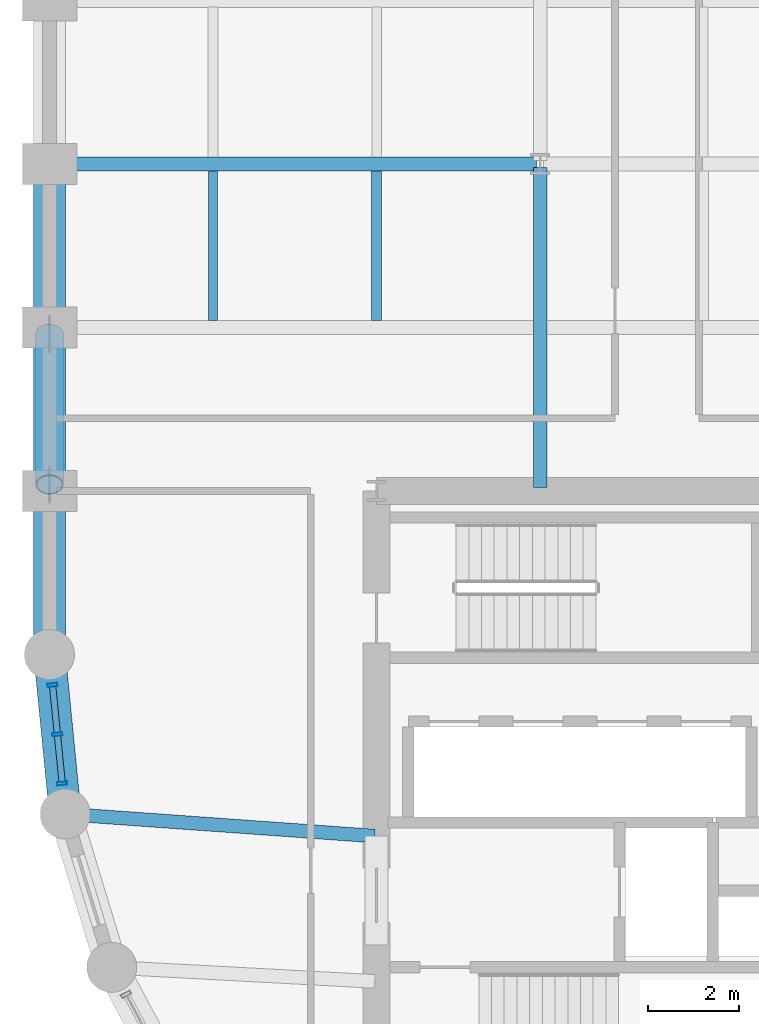
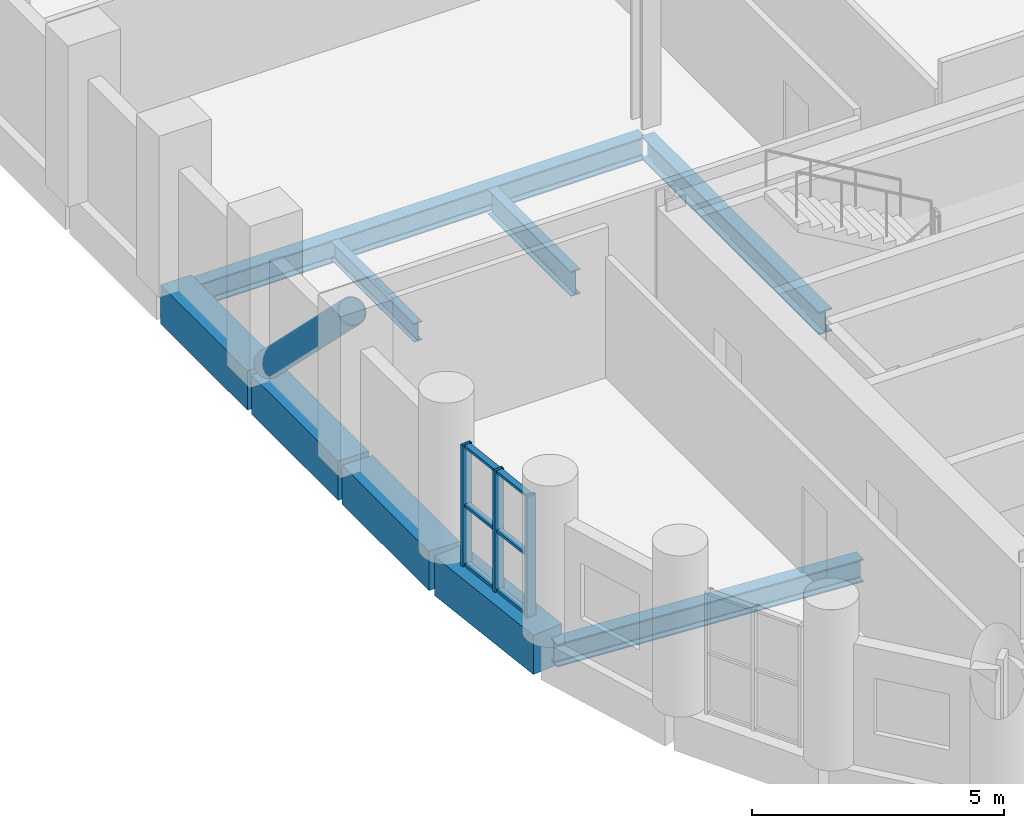
# One storey, part 4 of 12: 10 members, 9 beams, 1 element without a shape of its own.
"""IFC4 building model written with IfcOpenShell, lengths in metres."""

from ifc_helpers import new_model, si_unit, direction, frame, origin, origin_2d, place, context, subcontext, project, spatial, rectangle, hollow_rectangle, hollow_circle, i_section, extrude, material, layer, layer_set, material_profile, profile_set, type_object, element, aggregate, save


model = new_model("IFC4")

# Units and contexts
model_context = context("Model", 3, precision=1e-05, world=origin(), true_north=direction((0.0, 1.0)))
body_context = subcontext(model_context, "Body", "Model", "MODEL_VIEW")
ifc_project = project(units=[si_unit("LENGTHUNIT", "METRE"), si_unit("AREAUNIT", "SQUARE_METRE"), si_unit("VOLUMEUNIT", "CUBIC_METRE"), si_unit("PLANEANGLEUNIT", "RADIAN"), si_unit("MASSUNIT", "GRAM", prefix="KILO")], contexts=[model_context])

# Site, building, storey
site_placement = place(None, origin())
site = spatial("IfcSite", under=ifc_project, at=site_placement, CompositionType="ELEMENT")
building_placement = place(site_placement, origin())
building = spatial("IfcBuilding", under=site, at=building_placement, Name="Solnavia Interchange Tower", CompositionType="ELEMENT")
storey_placement = place(building_placement, frame((0.0, 0.0, 27.89990234375)))
storey = spatial("IfcBuildingStorey", under=building, at=storey_placement, Name="L06", CompositionType="ELEMENT", Elevation=27.89990234375)

# Beams
ifc_material_1 = material(Name="Steel S460", Category="steel")
ifc_material_profile_1 = material_profile(ifc_material_1, i_section(OverallWidth=0.300048828125, OverallDepth=0.550048828125, WebThickness=0.014892578125, FlangeThickness=0.029052734375, FilletRadius=0.027099609375, at=origin_2d()), Name="HEB 550")
ifc_profile_set_1 = profile_set([ifc_material_profile_1], Name="Steel S460")
beam_type_1 = type_object("IfcBeamType", Name="Beam-Girder-HEB550", PredefinedType="BEAM", material=ifc_profile_set_1)
beam_1_placement = place(storey_placement, frame((18.0, 25.280029296875, -0.52490234375), z_axis=(0.0, 1.0, 0.0), x_axis=(-1.0, 0.0, 0.0)))
element("IfcBeam", 1, at=beam_1_placement, inside=storey, type_object=beam_type_1, Name="GRD-L06-NS12 North wing spine girder", PredefinedType="BEAM", context=body_context, shape_type="SweptSolid", body=[
    extrude(i_section(OverallWidth=0.300048828125, OverallDepth=0.550048828125, WebThickness=0.014892578125, FlangeThickness=0.029052734375, FilletRadius=0.027099609375, at=origin_2d()), origin(), (0.0, 0.0, 1.0), 7.0400390625),
])
beam_2_placement = place(storey_placement, frame((7.280029296875, 32.39990234375, -0.52490234375), z_axis=(1.0, 0.0, 0.0), x_axis=(0.0, 1.0, 0.0)))
element("IfcBeam", 2, at=beam_2_placement, inside=storey, type_object=beam_type_1, Name="GRD-L06-NW16 North wing primary floor girder", PredefinedType="BEAM", context=body_context, shape_type="SweptSolid", body=[
    extrude(i_section(OverallWidth=0.300048828125, OverallDepth=0.550048828125, WebThickness=0.014892578125, FlangeThickness=0.029052734375, FilletRadius=0.027099609375, at=origin_2d()), origin(), (0.0, 0.0, 1.0), 10.639892578125),
])
beam_3_placement = place(storey_placement, frame((7.625732421875, 18.082275390625, -0.52490234375), z_axis=(0.99747482749, -0.071020902015, 0.0), x_axis=(0.071020902015, 0.99747482749, 0.0)))
element("IfcBeam", 3, at=beam_3_placement, inside=storey, type_object=beam_type_1, Name="GRD-L06-DR22 Drum radial floor girder", PredefinedType="BEAM", context=body_context, shape_type="SweptSolid", body=[
    extrude(i_section(OverallWidth=0.300048828125, OverallDepth=0.550048828125, WebThickness=0.014892578125, FlangeThickness=0.029052734375, FilletRadius=0.027099609375, at=origin_2d()), origin(), (0.0, 0.0, 1.0), 6.75146484375),
])
ifc_material_2 = material(Name="Steel S355", Category="steel")
ifc_material_profile_2 = material_profile(ifc_material_2, i_section(OverallWidth=0.18994140625, OverallDepth=0.449951171875, WebThickness=0.009521484375, FlangeThickness=0.0146484375, FilletRadius=0.02099609375, at=origin_2d()), Name="IPE 450")
ifc_profile_set_2 = profile_set([ifc_material_profile_2], Name="Steel S355")
beam_type_2 = type_object("IfcBeamType", Name="Beam-Joist-IPE450", PredefinedType="JOIST", material=ifc_profile_set_2)
beam_4_placement = place(storey_placement, frame((10.800048828125, 28.949951171875, -0.474853515625), z_axis=(0.0, 1.0, 0.0), x_axis=(-1.0, 0.0, 0.0)))
element("IfcBeam", 4, at=beam_4_placement, inside=storey, type_object=beam_type_2, Name="JST-L06-N21 North wing secondary joist", PredefinedType="JOIST", context=body_context, shape_type="SweptSolid", body=[
    extrude(i_section(OverallWidth=0.18994140625, OverallDepth=0.449951171875, WebThickness=0.009521484375, FlangeThickness=0.0146484375, FilletRadius=0.02099609375, at=origin_2d()), origin(), (0.0, 0.0, 1.0), 3.300048828125),
])
ifc_material_profile_3 = material_profile(ifc_material_2, i_section(OverallWidth=0.219970703125, OverallDepth=0.60009765625, WebThickness=0.011962890625, FlangeThickness=0.01904296875, FilletRadius=0.02392578125, at=origin_2d()), Name="IPE 600")
ifc_profile_set_3 = profile_set([ifc_material_profile_3], Name="Steel S355")
beam_type_3 = type_object("IfcBeamType", Name="Beam-Joist-IPE600", PredefinedType="JOIST", material=ifc_profile_set_3)
beam_5_placement = place(storey_placement, frame((14.39990234375, 28.949951171875, -0.5498046875), z_axis=(0.0, 1.0, 0.0), x_axis=(-1.0, 0.0, 0.0)))
element("IfcBeam", 5, at=beam_5_placement, inside=storey, type_object=beam_type_3, Name="JST-L06-N25 North wing secondary joist", PredefinedType="JOIST", context=body_context, shape_type="SweptSolid", body=[
    extrude(i_section(OverallWidth=0.219970703125, OverallDepth=0.60009765625, WebThickness=0.011962890625, FlangeThickness=0.01904296875, FilletRadius=0.02392578125, at=origin_2d()), origin(), (0.0, 0.0, 1.0), 3.300048828125),
])
ifc_material_3 = material(Name="Concrete C50/60", Category="concrete")
ifc_material_profile_4 = material_profile(ifc_material_3, rectangle(XDim=0.699951171875, YDim=0.949951171875, at=origin_2d()), Name="RC 700x950")
ifc_profile_set_4 = profile_set([ifc_material_profile_4], Name="Concrete C50/60")
beam_type_4 = type_object("IfcBeamType", Name="Beam-Spandrel-RC700x950", PredefinedType="SPANDREL", material=ifc_profile_set_4)
beam_6_placement = place(storey_placement, frame((7.207763671875, 21.5205078125, -0.474853515625), z_axis=(0.098040038117, -0.995182471171, 0.0), x_axis=(0.995182471171, 0.098040038117, 0.0)))
element("IfcBeam", 6, at=beam_6_placement, inside=storey, type_object=beam_type_4, Name="SPB-L06-01 Framed-tube perimeter spandrel beam", PredefinedType="SPANDREL", context=body_context, shape_type="SweptSolid", body=[
    extrude(rectangle(XDim=0.699951171875, YDim=0.949951171875, at=origin_2d()), origin(), (0.0, 0.0, 1.0), 3.369140625),
])
beam_7_placement = place(storey_placement, frame((7.199951171875, 32.320068359375, -0.474853515625), z_axis=(0.0, -1.0, 0.0), x_axis=(1.0, 0.0, 0.0)))
element("IfcBeam", 7, at=beam_7_placement, inside=storey, type_object=beam_type_4, Name="SPB-L06-42 Framed-tube perimeter spandrel beam", PredefinedType="SPANDREL", context=body_context, shape_type="SweptSolid", body=[
    extrude(rectangle(XDim=0.699951171875, YDim=0.949951171875, at=origin_2d()), origin(), (0.0, 0.0, 1.0), 3.440185546875),
])
beam_8_placement = place(storey_placement, frame((7.199951171875, 28.719970703125, -0.474853515625), z_axis=(0.0, -1.0, 0.0), x_axis=(1.0, 0.0, 0.0)))
element("IfcBeam", 8, at=beam_8_placement, inside=storey, type_object=beam_type_4, Name="SPB-L06-43 Framed-tube perimeter spandrel beam", PredefinedType="SPANDREL", context=body_context, shape_type="SweptSolid", body=[
    extrude(rectangle(XDim=0.699951171875, YDim=0.949951171875, at=origin_2d()), origin(), (0.0, 0.0, 1.0), 3.43994140625),
])
beam_9_placement = place(storey_placement, frame((7.199951171875, 25.1201171875, -0.474853515625), z_axis=(0.0, -1.0, 0.0), x_axis=(1.0, 0.0, 0.0)))
element("IfcBeam", 9, at=beam_9_placement, inside=storey, type_object=beam_type_4, Name="SPB-L06-44 Framed-tube perimeter spandrel beam", PredefinedType="SPANDREL", context=body_context, shape_type="SweptSolid", body=[
    extrude(rectangle(XDim=0.699951171875, YDim=0.949951171875, at=origin_2d()), origin(), (0.0, 0.0, 1.0), 3.440185546875),
])

# Member
ifc_material_profile_5 = material_profile(ifc_material_1, hollow_circle(Radius=0.304931640625, WallThickness=0.02490234375, at=origin_2d()), Name="CHS 610x25")
ifc_profile_set_5 = profile_set([ifc_material_profile_5], Name="Steel S460")
member_type_1 = type_object("IfcMemberType", Name="Brace-Perim-CHS610", PredefinedType="BRACE", material=ifc_profile_set_5)
member_1_placement = place(storey_placement, frame((7.199951171875, 28.659912109375, 0.18017578125), z_axis=(0.0, -0.710285911997, 0.703913292401), x_axis=(1.0, 0.0, 0.0)))
element("IfcMember", 10, at=member_1_placement, inside=storey, type_object=member_type_1, Name="BRC-L06-01 Perimeter tube diagonal brace", PredefinedType="BRACE", context=body_context, shape_type="SweptSolid", body=[
    extrude(hollow_circle(Radius=0.304931640625, WallThickness=0.02490234375, at=origin_2d()), origin(), (0.0, 0.0, 1.0), 4.673828125),
])

# Curtain wall, members
ifc_material_4 = material(Name="Aluminium Alloy 6063-T6", Category="aluminium")
ifc_layer = layer(ifc_material_4, 0.239990234375)
ifc_layer_set = layer_set([ifc_layer], Name="Aluminium Alloy 6063-T6")
curtain_wall_type = type_object("IfcCurtainWallType", Name="CurtainWall-Drum-CTW2", PredefinedType="NOTDEFINED", material=ifc_layer_set)
curtain_wall_placement = place(storey_placement, origin())
curtain_wall = element("IfcCurtainWall", 11, at=curtain_wall_placement, inside=storey, type_object=curtain_wall_type, Name="CTW-L06-D57 CTW-2 curtain wall", PredefinedType="NOTDEFINED")
ifc_material_profile_6 = material_profile(ifc_material_4, hollow_rectangle(XDim=0.074951171875, YDim=0.219970703125, WallThickness=0.0048828125, at=origin_2d()), Name="ALU 220x75x5")
ifc_profile_set_6 = profile_set([ifc_material_profile_6], Name="Aluminium Alloy 6063-T6")
member_type_2 = type_object("IfcMemberType", Name="CW-Mullion-CWM-2", PredefinedType="MULLION", material=ifc_profile_set_6)
member_2_placement = place(storey_placement, frame((7.26611328125, 20.92822265625, 0.0), z_axis=(0.0, 0.0, 1.0), x_axis=(0.098045297616, -0.995181953019, 0.0)))
member_2 = element("IfcMember", 12, at=member_2_placement, type_object=member_type_2, Name="CTW-2 mullion 1", PredefinedType="MULLION", context=body_context, shape_type="SweptSolid", body=[
    extrude(hollow_rectangle(XDim=0.074951171875, YDim=0.219970703125, WallThickness=0.0048828125, at=origin_2d()), origin(), (0.0, 0.0, 1.0), 2.93017578125),
])
member_3_placement = place(storey_placement, frame((7.373046875, 19.843994140625, 0.0), z_axis=(0.0, 0.0, 1.0), x_axis=(0.098045297616, -0.995181953019, 0.0)))
member_3 = element("IfcMember", 13, at=member_3_placement, type_object=member_type_2, Name="CTW-2 mullion 2", PredefinedType="MULLION", context=body_context, shape_type="SweptSolid", body=[
    extrude(hollow_rectangle(XDim=0.074951171875, YDim=0.219970703125, WallThickness=0.0048828125, at=origin_2d()), origin(), (0.0, 0.0, 1.0), 2.93017578125),
])
member_4_placement = place(storey_placement, frame((7.479736328125, 18.759765625, 0.0), z_axis=(0.0, 0.0, 1.0), x_axis=(0.098045297616, -0.995181953019, 0.0)))
member_4 = element("IfcMember", 14, at=member_4_placement, type_object=member_type_2, Name="CTW-2 mullion 3", PredefinedType="MULLION", context=body_context, shape_type="SweptSolid", body=[
    extrude(hollow_rectangle(XDim=0.074951171875, YDim=0.219970703125, WallThickness=0.0048828125, at=origin_2d()), origin(), (0.0, 0.0, 1.0), 2.93017578125),
])
ifc_material_profile_7 = material_profile(ifc_material_4, hollow_rectangle(XDim=0.06494140625, YDim=0.139892578125, WallThickness=0.00390625, at=origin_2d()), Name="ALU 140x65x4")
ifc_profile_set_7 = profile_set([ifc_material_profile_7], Name="Aluminium Alloy 6063-T6")
member_type_3 = type_object("IfcMemberType", Name="CW-Transom-CWT-2", PredefinedType="USERDEFINED", material=ifc_profile_set_7)
member_5_placement = place(storey_placement, frame((7.269775390625, 20.890869140625, 0.03271484375), z_axis=(0.098193057541, -0.99516738464, 0.0), x_axis=(0.0, 0.0, 1.0)))
member_5 = element("IfcMember", 15, at=member_5_placement, type_object=member_type_3, Name="CTW-2 transom 1.1", ObjectType="TRANSOM", PredefinedType="USERDEFINED", context=body_context, shape_type="SweptSolid", body=[
    extrude(hollow_rectangle(XDim=0.06494140625, YDim=0.139892578125, WallThickness=0.00390625, at=origin_2d()), origin(), (0.0, 0.0, 1.0), 1.014404296875),
])
member_6_placement = place(storey_placement, frame((7.269775390625, 20.890869140625, 1.465087890625), z_axis=(0.098193057541, -0.99516738464, 0.0), x_axis=(0.0, 0.0, 1.0)))
member_6 = element("IfcMember", 16, at=member_6_placement, type_object=member_type_3, Name="CTW-2 transom 1.2", ObjectType="TRANSOM", PredefinedType="USERDEFINED", context=body_context, shape_type="SweptSolid", body=[
    extrude(hollow_rectangle(XDim=0.06494140625, YDim=0.139892578125, WallThickness=0.00390625, at=origin_2d()), origin(), (0.0, 0.0, 1.0), 1.014404296875),
])
member_7_placement = place(storey_placement, frame((7.269775390625, 20.890869140625, 2.897705078125), z_axis=(0.098193057541, -0.99516738464, 0.0), x_axis=(0.0, 0.0, 1.0)))
member_7 = element("IfcMember", 17, at=member_7_placement, type_object=member_type_3, Name="CTW-2 transom 1.3", ObjectType="TRANSOM", PredefinedType="USERDEFINED", context=body_context, shape_type="SweptSolid", body=[
    extrude(hollow_rectangle(XDim=0.06494140625, YDim=0.139892578125, WallThickness=0.00390625, at=origin_2d()), origin(), (0.0, 0.0, 1.0), 1.014404296875),
])
member_8_placement = place(storey_placement, frame((7.376708984375, 19.806640625, 0.03271484375), z_axis=(0.097954700343, -0.995190874496, 0.0), x_axis=(0.0, 0.0, 1.0)))
member_8 = element("IfcMember", 18, at=member_8_placement, type_object=member_type_3, Name="CTW-2 transom 2.1", ObjectType="TRANSOM", PredefinedType="USERDEFINED", context=body_context, shape_type="SweptSolid", body=[
    extrude(hollow_rectangle(XDim=0.06494140625, YDim=0.139892578125, WallThickness=0.00390625, at=origin_2d()), origin(), (0.0, 0.0, 1.0), 1.014404296875),
])
member_9_placement = place(storey_placement, frame((7.376708984375, 19.806640625, 1.465087890625), z_axis=(0.097954700343, -0.995190874496, 0.0), x_axis=(0.0, 0.0, 1.0)))
member_9 = element("IfcMember", 19, at=member_9_placement, type_object=member_type_3, Name="CTW-2 transom 2.2", ObjectType="TRANSOM", PredefinedType="USERDEFINED", context=body_context, shape_type="SweptSolid", body=[
    extrude(hollow_rectangle(XDim=0.06494140625, YDim=0.139892578125, WallThickness=0.00390625, at=origin_2d()), origin(), (0.0, 0.0, 1.0), 1.014404296875),
])
member_10_placement = place(storey_placement, frame((7.376708984375, 19.806640625, 2.897705078125), z_axis=(0.097954700343, -0.995190874496, 0.0), x_axis=(0.0, 0.0, 1.0)))
member_10 = element("IfcMember", 20, at=member_10_placement, type_object=member_type_3, Name="CTW-2 transom 2.3", ObjectType="TRANSOM", PredefinedType="USERDEFINED", context=body_context, shape_type="SweptSolid", body=[
    extrude(hollow_rectangle(XDim=0.06494140625, YDim=0.139892578125, WallThickness=0.00390625, at=origin_2d()), origin(), (0.0, 0.0, 1.0), 1.014404296875),
])
aggregate(curtain_wall, [member_2, member_3, member_4, member_5, member_6, member_7, member_8, member_9, member_10])

save(model, "model.ifc")
